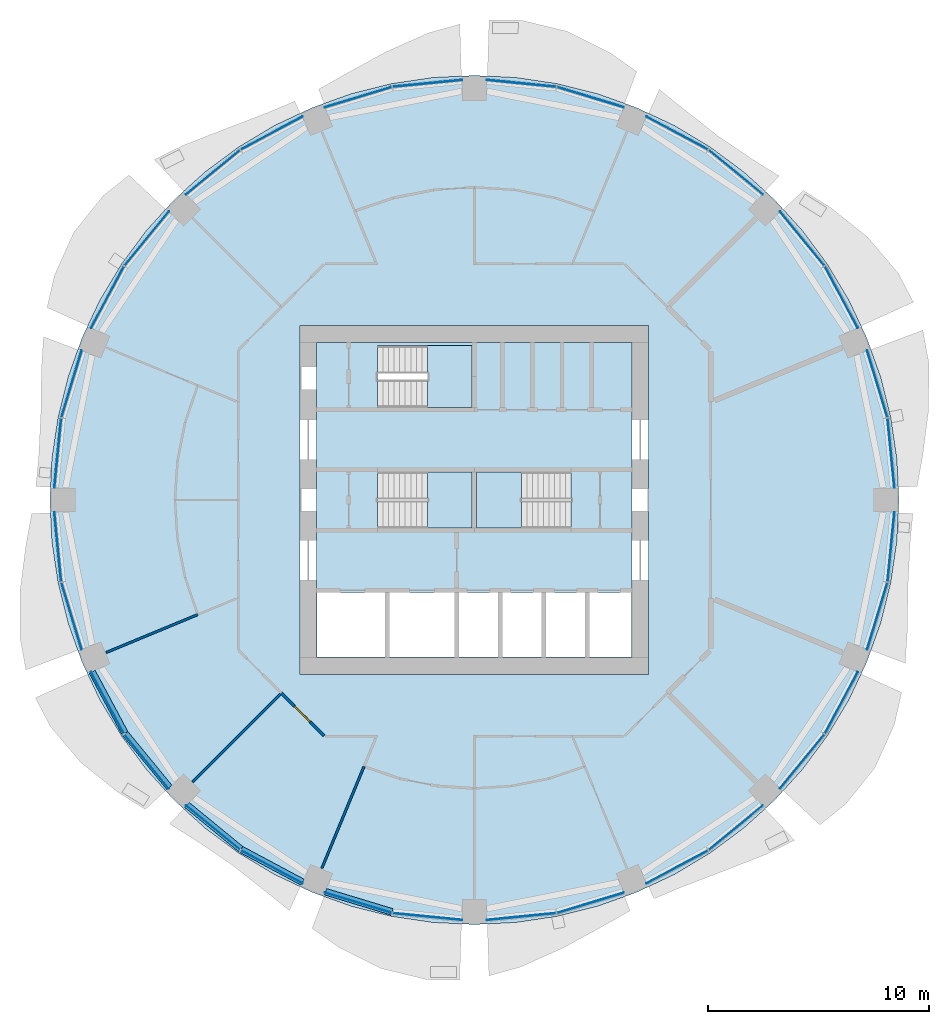
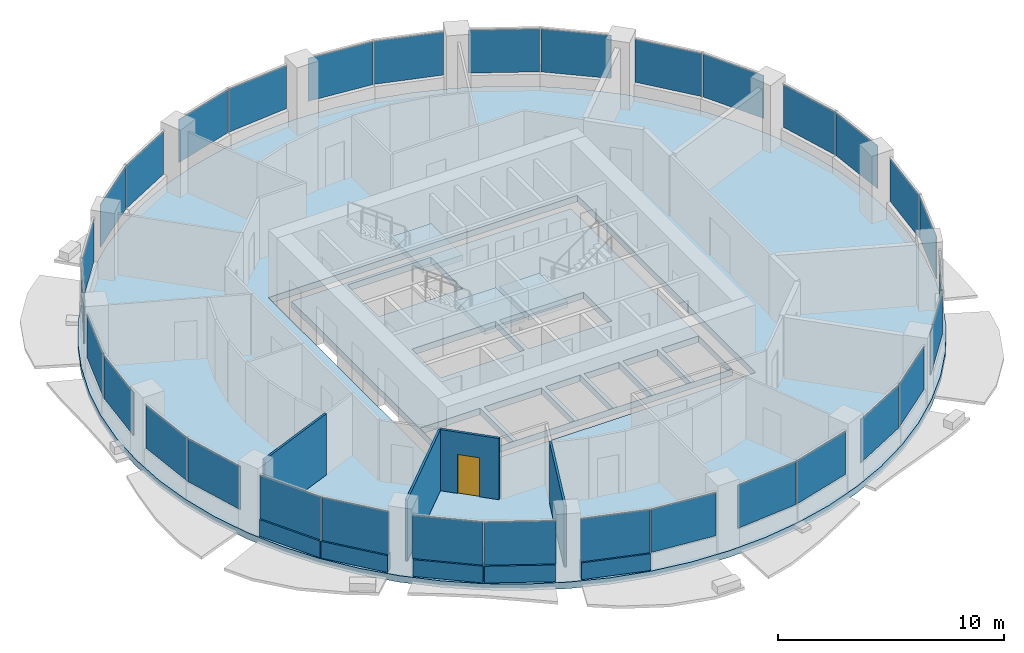
# One storey, part 6 of 14: 32 plates, 9 walls, 5 slabs, 1 door, 1 opening, 19 elements without a shape of their own.
"""IFC4 building model written with IfcOpenShell, lengths in metres."""

from ifc_helpers import new_model, si_unit, direction, frame, frame_2d, origin, origin_2d, place, context, subcontext, project, spatial, polyline, rectangle, outline, extrude, material, layer, layer_set, type_object, element, fill, aggregate, save


model = new_model("IFC4")

# Units and contexts
model_context = context("Model", 3, precision=1e-05, world=origin(), true_north=direction((0.0, 1.0)))
body_context = subcontext(model_context, "Body", "Model", "MODEL_VIEW")
ifc_project = project(units=[si_unit("LENGTHUNIT", "METRE"), si_unit("AREAUNIT", "SQUARE_METRE"), si_unit("VOLUMEUNIT", "CUBIC_METRE"), si_unit("PLANEANGLEUNIT", "RADIAN"), si_unit("MASSUNIT", "GRAM", prefix="KILO")], contexts=[model_context])

# Site, building, storey
site_placement = place(None, origin())
site = spatial("IfcSite", under=ifc_project, at=site_placement, CompositionType="ELEMENT")
building_placement = place(site_placement, origin())
building = spatial("IfcBuilding", under=site, at=building_placement, Name="Polderwave Tower", CompositionType="ELEMENT")
storey_placement = place(building_placement, frame((0.0, 0.0, 105.60009765625)))
storey = spatial("IfcBuildingStorey", under=building, at=storey_placement, Name="L27", CompositionType="ELEMENT", Elevation=105.60009765625)

# Slab
ifc_material_1 = material(Name="Concrete C40/50", Category="concrete")
ifc_layer_1 = layer(ifc_material_1, 0.35009765625)
ifc_layer_set_1 = layer_set([ifc_layer_1], Name="Core floor slab 350")
slab_type_1 = type_object("IfcSlabType", Name="Core floor slab 350", PredefinedType="FLOOR", material=ifc_layer_set_1)
slab_1_placement = place(storey_placement, frame((0.0, 0.0, -0.35009765625)))
element("IfcSlab", 1, at=slab_1_placement, inside=storey, type_object=slab_type_1, Name="L27 core floor", PredefinedType="FLOOR", context=body_context, shape_type="SweptSolid", body=[
    extrude(outline(polyline([(-7.1240234375, -7.1240234375), (7.1240234375, -7.1240234375), (7.1240234375, 7.1240234375), (-7.1240234375, 7.1240234375), (-7.1240234375, -7.1240234375)]), holes=[polyline([(-7.10400390625, -7.10400390625), (-4.037109375, -7.10400390625), (-4.037109375, -4.174072265625), (-7.10400390625, -4.174072265625), (-7.10400390625, -7.10400390625)]), polyline([(-3.8369140625, -7.10400390625), (-0.89990234375, -7.10400390625), (-0.89990234375, -4.174072265625), (-3.8369140625, -4.174072265625), (-3.8369140625, -7.10400390625)]), polyline([(-0.699951171875, -7.10400390625), (1.068603515625, -7.10400390625), (1.068603515625, -4.174072265625), (-0.699951171875, -4.174072265625), (-0.699951171875, -7.10400390625)]), polyline([(1.2685546875, -7.10400390625), (3.037109375, -7.10400390625), (3.037109375, -4.174072265625), (1.2685546875, -4.174072265625), (1.2685546875, -7.10400390625)]), polyline([(3.237060546875, -7.10400390625), (5.005615234375, -7.10400390625), (5.005615234375, -4.174072265625), (3.237060546875, -4.174072265625), (3.237060546875, -7.10400390625)]), polyline([(5.20556640625, -7.10400390625), (7.10400390625, -7.10400390625), (7.10400390625, -4.174072265625), (5.20556640625, -4.174072265625), (5.20556640625, -7.10400390625)]), polyline([(-4.37353515625, -1.2744140625), (-0.1005859375, -1.2744140625), (-0.1005859375, 1.2744140625), (-4.37353515625, 1.2744140625), (-4.37353515625, -1.2744140625)]), polyline([(0.1005859375, -1.2744140625), (4.37353515625, -1.2744140625), (4.37353515625, 1.2744140625), (0.1005859375, 1.2744140625), (0.1005859375, -1.2744140625)]), polyline([(-4.37353515625, 4.174560546875), (-0.1005859375, 4.174560546875), (-0.1005859375, 6.973388671875), (-4.37353515625, 6.973388671875), (-4.37353515625, 4.174560546875)])]), origin(), (0.0, 0.0, 1.0), 0.35009765625),
])

# Curtain wall, plates
ifc_material_2 = material(Name="Aluminium 6063-T6 and glass", Category="aluminium")
curtain_wall_type = type_object("IfcCurtainWallType", Name="Growing floor ribbon glazing wall", PredefinedType="NOTDEFINED", material=ifc_material_2)
curtain_wall_1_placement = place(storey_placement, origin())
curtain_wall_1 = element("IfcCurtainWall", 2, at=curtain_wall_1_placement, inside=storey, type_object=curtain_wall_type, Name="CW2 L27 00", PredefinedType="NOTDEFINED")
ifc_material_3 = material(Name="Glass, low-e laminated double glazing", Category="glass")
ifc_layer_2 = layer(ifc_material_3, 0.028076171875)
ifc_layer_set_2 = layer_set([ifc_layer_2], Name="Growing floor ribbon glazing glass panel 28 mm")
plate_type = type_object("IfcPlateType", Name="Growing floor ribbon glazing glass panel 28 mm", PredefinedType="CURTAIN_PANEL", material=ifc_layer_set_2)
plate_1_placement = place(storey_placement, frame((18.821533203125, 2.11669921875, 0.89990234375), z_axis=(0.0, 0.0, 1.0), x_axis=(-0.098164777877, 0.995170174585, 0.0)))
plate_1 = element("IfcPlate", 3, at=plate_1_placement, type_object=plate_type, Name="CW2 panel 1", PredefinedType="CURTAIN_PANEL", context=body_context, shape_type="SweptSolid", body=[
    extrude(rectangle(XDim=3.1484375, YDim=0.028076171875, at=origin_2d()), origin(), (0.0, 0.0, 1.0), 2.320068359375),
])
plate_2_placement = place(storey_placement, frame((18.198486328125, 5.247802734375, 0.89990234375), z_axis=(0.0, 0.0, 1.0), x_axis=(-0.290147719853, 0.956981870604, 0.0)))
plate_2 = element("IfcPlate", 4, at=plate_2_placement, type_object=plate_type, Name="CW2 panel 2", PredefinedType="CURTAIN_PANEL", context=body_context, shape_type="SweptSolid", body=[
    extrude(rectangle(XDim=3.147705078125, YDim=0.028076171875, at=origin_2d()), origin(), (0.0, 0.0, 1.0), 2.320068359375),
])
aggregate(curtain_wall_1, [plate_1, plate_2])

curtain_wall_2_placement = place(storey_placement, origin())
curtain_wall_2 = element("IfcCurtainWall", 5, at=curtain_wall_2_placement, inside=storey, type_object=curtain_wall_type, Name="CW2 L27 01", PredefinedType="NOTDEFINED")
plate_3_placement = place(storey_placement, frame((16.5791015625, 9.158203125, 0.89990234375), z_axis=(0.0, 0.0, 1.0), x_axis=(-0.471339783853, 0.881951703982, 0.0)))
plate_3 = element("IfcPlate", 6, at=plate_3_placement, type_object=plate_type, Name="CW2 panel 1", PredefinedType="CURTAIN_PANEL", context=body_context, shape_type="SweptSolid", body=[
    extrude(rectangle(XDim=3.148193359375, YDim=0.028076171875, at=origin_2d()), origin(), (0.0, 0.0, 1.0), 2.320068359375),
])
plate_4_placement = place(storey_placement, frame((14.805419921875, 11.8125, 0.89990234375), z_axis=(0.0, 0.0, 1.0), x_axis=(-0.634471532063, 0.772946230343, 0.0)))
plate_4 = element("IfcPlate", 7, at=plate_4_placement, type_object=plate_type, Name="CW2 panel 2", PredefinedType="CURTAIN_PANEL", context=body_context, shape_type="SweptSolid", body=[
    extrude(rectangle(XDim=3.1474609375, YDim=0.028076171875, at=origin_2d()), origin(), (0.0, 0.0, 1.0), 2.320068359375),
])
aggregate(curtain_wall_2, [plate_3, plate_4])

curtain_wall_3_placement = place(storey_placement, origin())
curtain_wall_3 = element("IfcCurtainWall", 8, at=curtain_wall_3_placement, inside=storey, type_object=curtain_wall_type, Name="CW2 L27 02", PredefinedType="NOTDEFINED")
plate_5_placement = place(storey_placement, frame((11.8125, 14.805419921875, 0.89990234375), z_axis=(0.0, 0.0, 1.0), x_axis=(-0.772946230343, 0.634471532063, 0.0)))
plate_5 = element("IfcPlate", 9, at=plate_5_placement, type_object=plate_type, Name="CW2 panel 1", PredefinedType="CURTAIN_PANEL", context=body_context, shape_type="SweptSolid", body=[
    extrude(rectangle(XDim=3.1474609375, YDim=0.028076171875, at=origin_2d()), origin(), (0.0, 0.0, 1.0), 2.320068359375),
])
plate_6_placement = place(storey_placement, frame((9.158203125, 16.5791015625, 0.89990234375), z_axis=(0.0, 0.0, 1.0), x_axis=(-0.881951703982, 0.471339783853, 0.0)))
plate_6 = element("IfcPlate", 10, at=plate_6_placement, type_object=plate_type, Name="CW2 panel 2", PredefinedType="CURTAIN_PANEL", context=body_context, shape_type="SweptSolid", body=[
    extrude(rectangle(XDim=3.148193359375, YDim=0.028076171875, at=origin_2d()), origin(), (0.0, 0.0, 1.0), 2.320068359375),
])
aggregate(curtain_wall_3, [plate_5, plate_6])

curtain_wall_4_placement = place(storey_placement, origin())
curtain_wall_4 = element("IfcCurtainWall", 11, at=curtain_wall_4_placement, inside=storey, type_object=curtain_wall_type, Name="CW2 L27 03", PredefinedType="NOTDEFINED")
plate_7_placement = place(storey_placement, frame((5.247802734375, 18.198486328125, 0.89990234375), z_axis=(0.0, 0.0, 1.0), x_axis=(-0.956981870604, 0.290147719853, 0.0)))
plate_7 = element("IfcPlate", 12, at=plate_7_placement, type_object=plate_type, Name="CW2 panel 1", PredefinedType="CURTAIN_PANEL", context=body_context, shape_type="SweptSolid", body=[
    extrude(rectangle(XDim=3.147705078125, YDim=0.028076171875, at=origin_2d()), origin(), (0.0, 0.0, 1.0), 2.320068359375),
])
plate_8_placement = place(storey_placement, frame((2.11669921875, 18.821533203125, 0.89990234375), z_axis=(0.0, 0.0, 1.0), x_axis=(-0.995170174585, 0.098164777877, 0.0)))
plate_8 = element("IfcPlate", 13, at=plate_8_placement, type_object=plate_type, Name="CW2 panel 2", PredefinedType="CURTAIN_PANEL", context=body_context, shape_type="SweptSolid", body=[
    extrude(rectangle(XDim=3.1484375, YDim=0.028076171875, at=origin_2d()), origin(), (0.0, 0.0, 1.0), 2.320068359375),
])
aggregate(curtain_wall_4, [plate_7, plate_8])

curtain_wall_5_placement = place(storey_placement, origin())
curtain_wall_5 = element("IfcCurtainWall", 14, at=curtain_wall_5_placement, inside=storey, type_object=curtain_wall_type, Name="CW2 L27 04", PredefinedType="NOTDEFINED")
plate_9_placement = place(storey_placement, frame((-2.11669921875, 18.821533203125, 0.89990234375), z_axis=(0.0, 0.0, 1.0), x_axis=(-0.995170174585, -0.098164777877, 0.0)))
plate_9 = element("IfcPlate", 15, at=plate_9_placement, type_object=plate_type, Name="CW2 panel 1", PredefinedType="CURTAIN_PANEL", context=body_context, shape_type="SweptSolid", body=[
    extrude(rectangle(XDim=3.1484375, YDim=0.028076171875, at=origin_2d()), origin(), (0.0, 0.0, 1.0), 2.320068359375),
])
plate_10_placement = place(storey_placement, frame((-5.247802734375, 18.198486328125, 0.89990234375), z_axis=(0.0, 0.0, 1.0), x_axis=(-0.956981870604, -0.290147719853, 0.0)))
plate_10 = element("IfcPlate", 16, at=plate_10_placement, type_object=plate_type, Name="CW2 panel 2", PredefinedType="CURTAIN_PANEL", context=body_context, shape_type="SweptSolid", body=[
    extrude(rectangle(XDim=3.147705078125, YDim=0.028076171875, at=origin_2d()), origin(), (0.0, 0.0, 1.0), 2.320068359375),
])
aggregate(curtain_wall_5, [plate_9, plate_10])

curtain_wall_6_placement = place(storey_placement, origin())
curtain_wall_6 = element("IfcCurtainWall", 17, at=curtain_wall_6_placement, inside=storey, type_object=curtain_wall_type, Name="CW2 L27 05", PredefinedType="NOTDEFINED")
plate_11_placement = place(storey_placement, frame((-9.158203125, 16.5791015625, 0.89990234375), z_axis=(0.0, 0.0, 1.0), x_axis=(-0.881951703982, -0.471339783853, 0.0)))
plate_11 = element("IfcPlate", 18, at=plate_11_placement, type_object=plate_type, Name="CW2 panel 1", PredefinedType="CURTAIN_PANEL", context=body_context, shape_type="SweptSolid", body=[
    extrude(rectangle(XDim=3.148193359375, YDim=0.028076171875, at=origin_2d()), origin(), (0.0, 0.0, 1.0), 2.320068359375),
])
plate_12_placement = place(storey_placement, frame((-11.8125, 14.805419921875, 0.89990234375), z_axis=(0.0, 0.0, 1.0), x_axis=(-0.772946230343, -0.634471532063, 0.0)))
plate_12 = element("IfcPlate", 19, at=plate_12_placement, type_object=plate_type, Name="CW2 panel 2", PredefinedType="CURTAIN_PANEL", context=body_context, shape_type="SweptSolid", body=[
    extrude(rectangle(XDim=3.1474609375, YDim=0.028076171875, at=origin_2d()), origin(), (0.0, 0.0, 1.0), 2.320068359375),
])
aggregate(curtain_wall_6, [plate_11, plate_12])

curtain_wall_7_placement = place(storey_placement, origin())
curtain_wall_7 = element("IfcCurtainWall", 20, at=curtain_wall_7_placement, inside=storey, type_object=curtain_wall_type, Name="CW2 L27 06", PredefinedType="NOTDEFINED")
plate_13_placement = place(storey_placement, frame((-14.805419921875, 11.8125, 0.89990234375), z_axis=(0.0, 0.0, 1.0), x_axis=(-0.634471532063, -0.772946230343, 0.0)))
plate_13 = element("IfcPlate", 21, at=plate_13_placement, type_object=plate_type, Name="CW2 panel 1", PredefinedType="CURTAIN_PANEL", context=body_context, shape_type="SweptSolid", body=[
    extrude(rectangle(XDim=3.1474609375, YDim=0.028076171875, at=origin_2d()), origin(), (0.0, 0.0, 1.0), 2.320068359375),
])
plate_14_placement = place(storey_placement, frame((-16.5791015625, 9.158203125, 0.89990234375), z_axis=(0.0, 0.0, 1.0), x_axis=(-0.471339783853, -0.881951703982, 0.0)))
plate_14 = element("IfcPlate", 22, at=plate_14_placement, type_object=plate_type, Name="CW2 panel 2", PredefinedType="CURTAIN_PANEL", context=body_context, shape_type="SweptSolid", body=[
    extrude(rectangle(XDim=3.148193359375, YDim=0.028076171875, at=origin_2d()), origin(), (0.0, 0.0, 1.0), 2.320068359375),
])
aggregate(curtain_wall_7, [plate_13, plate_14])

curtain_wall_8_placement = place(storey_placement, origin())
curtain_wall_8 = element("IfcCurtainWall", 23, at=curtain_wall_8_placement, inside=storey, type_object=curtain_wall_type, Name="CW2 L27 07", PredefinedType="NOTDEFINED")
plate_15_placement = place(storey_placement, frame((-18.198486328125, 5.247802734375, 0.89990234375), z_axis=(0.0, 0.0, 1.0), x_axis=(-0.290147719853, -0.956981870604, 0.0)))
plate_15 = element("IfcPlate", 24, at=plate_15_placement, type_object=plate_type, Name="CW2 panel 1", PredefinedType="CURTAIN_PANEL", context=body_context, shape_type="SweptSolid", body=[
    extrude(rectangle(XDim=3.147705078125, YDim=0.028076171875, at=origin_2d()), origin(), (0.0, 0.0, 1.0), 2.320068359375),
])
plate_16_placement = place(storey_placement, frame((-18.821533203125, 2.11669921875, 0.89990234375), z_axis=(0.0, 0.0, 1.0), x_axis=(-0.098164777877, -0.995170174585, 0.0)))
plate_16 = element("IfcPlate", 25, at=plate_16_placement, type_object=plate_type, Name="CW2 panel 2", PredefinedType="CURTAIN_PANEL", context=body_context, shape_type="SweptSolid", body=[
    extrude(rectangle(XDim=3.1484375, YDim=0.028076171875, at=origin_2d()), origin(), (0.0, 0.0, 1.0), 2.320068359375),
])
aggregate(curtain_wall_8, [plate_15, plate_16])

curtain_wall_9_placement = place(storey_placement, origin())
curtain_wall_9 = element("IfcCurtainWall", 26, at=curtain_wall_9_placement, inside=storey, type_object=curtain_wall_type, Name="CW2 L27 08", PredefinedType="NOTDEFINED")
plate_17_placement = place(storey_placement, frame((-18.821533203125, -2.11669921875, 0.89990234375), z_axis=(0.0, 0.0, 1.0), x_axis=(0.098164777877, -0.995170174585, 0.0)))
plate_17 = element("IfcPlate", 27, at=plate_17_placement, type_object=plate_type, Name="CW2 panel 1", PredefinedType="CURTAIN_PANEL", context=body_context, shape_type="SweptSolid", body=[
    extrude(rectangle(XDim=3.1484375, YDim=0.028076171875, at=origin_2d()), origin(), (0.0, 0.0, 1.0), 2.320068359375),
])
plate_18_placement = place(storey_placement, frame((-18.198486328125, -5.247802734375, 0.89990234375), z_axis=(0.0, 0.0, 1.0), x_axis=(0.290147719853, -0.956981870604, 0.0)))
plate_18 = element("IfcPlate", 28, at=plate_18_placement, type_object=plate_type, Name="CW2 panel 2", PredefinedType="CURTAIN_PANEL", context=body_context, shape_type="SweptSolid", body=[
    extrude(rectangle(XDim=3.147705078125, YDim=0.028076171875, at=origin_2d()), origin(), (0.0, 0.0, 1.0), 2.320068359375),
])
aggregate(curtain_wall_9, [plate_17, plate_18])

curtain_wall_10_placement = place(storey_placement, origin())
curtain_wall_10 = element("IfcCurtainWall", 29, at=curtain_wall_10_placement, inside=storey, type_object=curtain_wall_type, Name="CW2 L27 09", PredefinedType="NOTDEFINED")
plate_19_placement = place(storey_placement, frame((-16.5791015625, -9.158203125, 0.89990234375), z_axis=(0.0, 0.0, 1.0), x_axis=(0.471339783853, -0.881951703982, 0.0)))
plate_19 = element("IfcPlate", 30, at=plate_19_placement, type_object=plate_type, Name="CW2 panel 1", PredefinedType="CURTAIN_PANEL", context=body_context, shape_type="SweptSolid", body=[
    extrude(rectangle(XDim=3.148193359375, YDim=0.028076171875, at=origin_2d()), origin(), (0.0, 0.0, 1.0), 2.320068359375),
])
plate_20_placement = place(storey_placement, frame((-14.805419921875, -11.8125, 0.89990234375), z_axis=(0.0, 0.0, 1.0), x_axis=(0.634471532063, -0.772946230343, 0.0)))
plate_20 = element("IfcPlate", 31, at=plate_20_placement, type_object=plate_type, Name="CW2 panel 2", PredefinedType="CURTAIN_PANEL", context=body_context, shape_type="SweptSolid", body=[
    extrude(rectangle(XDim=3.1474609375, YDim=0.028076171875, at=origin_2d()), origin(), (0.0, 0.0, 1.0), 2.320068359375),
])
aggregate(curtain_wall_10, [plate_19, plate_20])

curtain_wall_11_placement = place(storey_placement, origin())
curtain_wall_11 = element("IfcCurtainWall", 32, at=curtain_wall_11_placement, inside=storey, type_object=curtain_wall_type, Name="CW2 L27 10", PredefinedType="NOTDEFINED")
plate_21_placement = place(storey_placement, frame((-11.8125, -14.805419921875, 0.89990234375), z_axis=(0.0, 0.0, 1.0), x_axis=(0.772946230343, -0.634471532063, 0.0)))
plate_21 = element("IfcPlate", 33, at=plate_21_placement, type_object=plate_type, Name="CW2 panel 1", PredefinedType="CURTAIN_PANEL", context=body_context, shape_type="SweptSolid", body=[
    extrude(rectangle(XDim=3.1474609375, YDim=0.028076171875, at=origin_2d()), origin(), (0.0, 0.0, 1.0), 2.320068359375),
])
plate_22_placement = place(storey_placement, frame((-9.158203125, -16.5791015625, 0.89990234375), z_axis=(0.0, 0.0, 1.0), x_axis=(0.881951703982, -0.471339783853, 0.0)))
plate_22 = element("IfcPlate", 34, at=plate_22_placement, type_object=plate_type, Name="CW2 panel 2", PredefinedType="CURTAIN_PANEL", context=body_context, shape_type="SweptSolid", body=[
    extrude(rectangle(XDim=3.148193359375, YDim=0.028076171875, at=origin_2d()), origin(), (0.0, 0.0, 1.0), 2.320068359375),
])
aggregate(curtain_wall_11, [plate_21, plate_22])

curtain_wall_12_placement = place(storey_placement, origin())
curtain_wall_12 = element("IfcCurtainWall", 35, at=curtain_wall_12_placement, inside=storey, type_object=curtain_wall_type, Name="CW2 L27 11", PredefinedType="NOTDEFINED")
plate_23_placement = place(storey_placement, frame((-5.247802734375, -18.198486328125, 0.89990234375), z_axis=(0.0, 0.0, 1.0), x_axis=(0.956981870604, -0.290147719853, 0.0)))
plate_23 = element("IfcPlate", 36, at=plate_23_placement, type_object=plate_type, Name="CW2 panel 1", PredefinedType="CURTAIN_PANEL", context=body_context, shape_type="SweptSolid", body=[
    extrude(rectangle(XDim=3.147705078125, YDim=0.028076171875, at=origin_2d()), origin(), (0.0, 0.0, 1.0), 2.320068359375),
])
plate_24_placement = place(storey_placement, frame((-2.11669921875, -18.821533203125, 0.89990234375), z_axis=(0.0, 0.0, 1.0), x_axis=(0.995170174585, -0.098164777877, 0.0)))
plate_24 = element("IfcPlate", 37, at=plate_24_placement, type_object=plate_type, Name="CW2 panel 2", PredefinedType="CURTAIN_PANEL", context=body_context, shape_type="SweptSolid", body=[
    extrude(rectangle(XDim=3.1484375, YDim=0.028076171875, at=origin_2d()), origin(), (0.0, 0.0, 1.0), 2.320068359375),
])
aggregate(curtain_wall_12, [plate_23, plate_24])

curtain_wall_13_placement = place(storey_placement, origin())
curtain_wall_13 = element("IfcCurtainWall", 38, at=curtain_wall_13_placement, inside=storey, type_object=curtain_wall_type, Name="CW2 L27 12", PredefinedType="NOTDEFINED")
plate_25_placement = place(storey_placement, frame((2.11669921875, -18.821533203125, 0.89990234375), z_axis=(0.0, 0.0, 1.0), x_axis=(0.995170174585, 0.098164777877, 0.0)))
plate_25 = element("IfcPlate", 39, at=plate_25_placement, type_object=plate_type, Name="CW2 panel 1", PredefinedType="CURTAIN_PANEL", context=body_context, shape_type="SweptSolid", body=[
    extrude(rectangle(XDim=3.1484375, YDim=0.028076171875, at=origin_2d()), origin(), (0.0, 0.0, 1.0), 2.320068359375),
])
plate_26_placement = place(storey_placement, frame((5.247802734375, -18.198486328125, 0.89990234375), z_axis=(0.0, 0.0, 1.0), x_axis=(0.956981870604, 0.290147719853, 0.0)))
plate_26 = element("IfcPlate", 40, at=plate_26_placement, type_object=plate_type, Name="CW2 panel 2", PredefinedType="CURTAIN_PANEL", context=body_context, shape_type="SweptSolid", body=[
    extrude(rectangle(XDim=3.147705078125, YDim=0.028076171875, at=origin_2d()), origin(), (0.0, 0.0, 1.0), 2.320068359375),
])
aggregate(curtain_wall_13, [plate_25, plate_26])

curtain_wall_14_placement = place(storey_placement, origin())
curtain_wall_14 = element("IfcCurtainWall", 41, at=curtain_wall_14_placement, inside=storey, type_object=curtain_wall_type, Name="CW2 L27 13", PredefinedType="NOTDEFINED")
plate_27_placement = place(storey_placement, frame((9.158203125, -16.5791015625, 0.89990234375), z_axis=(0.0, 0.0, 1.0), x_axis=(0.881951703982, 0.471339783853, 0.0)))
plate_27 = element("IfcPlate", 42, at=plate_27_placement, type_object=plate_type, Name="CW2 panel 1", PredefinedType="CURTAIN_PANEL", context=body_context, shape_type="SweptSolid", body=[
    extrude(rectangle(XDim=3.148193359375, YDim=0.028076171875, at=origin_2d()), origin(), (0.0, 0.0, 1.0), 2.320068359375),
])
plate_28_placement = place(storey_placement, frame((11.8125, -14.805419921875, 0.89990234375), z_axis=(0.0, 0.0, 1.0), x_axis=(0.772946230343, 0.634471532063, 0.0)))
plate_28 = element("IfcPlate", 43, at=plate_28_placement, type_object=plate_type, Name="CW2 panel 2", PredefinedType="CURTAIN_PANEL", context=body_context, shape_type="SweptSolid", body=[
    extrude(rectangle(XDim=3.1474609375, YDim=0.028076171875, at=origin_2d()), origin(), (0.0, 0.0, 1.0), 2.320068359375),
])
aggregate(curtain_wall_14, [plate_27, plate_28])

curtain_wall_15_placement = place(storey_placement, origin())
curtain_wall_15 = element("IfcCurtainWall", 44, at=curtain_wall_15_placement, inside=storey, type_object=curtain_wall_type, Name="CW2 L27 14", PredefinedType="NOTDEFINED")
plate_29_placement = place(storey_placement, frame((14.805419921875, -11.8125, 0.89990234375), z_axis=(0.0, 0.0, 1.0), x_axis=(0.634471532063, 0.772946230343, 0.0)))
plate_29 = element("IfcPlate", 45, at=plate_29_placement, type_object=plate_type, Name="CW2 panel 1", PredefinedType="CURTAIN_PANEL", context=body_context, shape_type="SweptSolid", body=[
    extrude(rectangle(XDim=3.1474609375, YDim=0.028076171875, at=origin_2d()), origin(), (0.0, 0.0, 1.0), 2.320068359375),
])
plate_30_placement = place(storey_placement, frame((16.5791015625, -9.158203125, 0.89990234375), z_axis=(0.0, 0.0, 1.0), x_axis=(0.471339783853, 0.881951703982, 0.0)))
plate_30 = element("IfcPlate", 46, at=plate_30_placement, type_object=plate_type, Name="CW2 panel 2", PredefinedType="CURTAIN_PANEL", context=body_context, shape_type="SweptSolid", body=[
    extrude(rectangle(XDim=3.148193359375, YDim=0.028076171875, at=origin_2d()), origin(), (0.0, 0.0, 1.0), 2.320068359375),
])
aggregate(curtain_wall_15, [plate_29, plate_30])

curtain_wall_16_placement = place(storey_placement, origin())
curtain_wall_16 = element("IfcCurtainWall", 47, at=curtain_wall_16_placement, inside=storey, type_object=curtain_wall_type, Name="CW2 L27 15", PredefinedType="NOTDEFINED")
plate_31_placement = place(storey_placement, frame((18.198486328125, -5.247802734375, 0.89990234375), z_axis=(0.0, 0.0, 1.0), x_axis=(0.290147719853, 0.956981870604, 0.0)))
plate_31 = element("IfcPlate", 48, at=plate_31_placement, type_object=plate_type, Name="CW2 panel 1", PredefinedType="CURTAIN_PANEL", context=body_context, shape_type="SweptSolid", body=[
    extrude(rectangle(XDim=3.147705078125, YDim=0.028076171875, at=origin_2d()), origin(), (0.0, 0.0, 1.0), 2.320068359375),
])
plate_32_placement = place(storey_placement, frame((18.821533203125, -2.11669921875, 0.89990234375), z_axis=(0.0, 0.0, 1.0), x_axis=(0.098164777877, 0.995170174585, 0.0)))
plate_32 = element("IfcPlate", 49, at=plate_32_placement, type_object=plate_type, Name="CW2 panel 2", PredefinedType="CURTAIN_PANEL", context=body_context, shape_type="SweptSolid", body=[
    extrude(rectangle(XDim=3.1484375, YDim=0.028076171875, at=origin_2d()), origin(), (0.0, 0.0, 1.0), 2.320068359375),
])
aggregate(curtain_wall_16, [plate_31, plate_32])

# Slab
ifc_layer_3 = layer(ifc_material_1, 0.35009765625)
ifc_layer_set_3 = layer_set([ifc_layer_3], Name="PT FLOOR SLAB 350 C40/50")
slab_type_2 = type_object("IfcSlabType", Name="PT FLOOR SLAB 350 C40/50", PredefinedType="FLOOR", material=ifc_layer_set_3)
slab_2_placement = place(storey_placement, frame((0.0, 0.0, -0.35009765625)))
element("IfcSlab", 50, at=slab_2_placement, inside=storey, type_object=slab_type_2, Name="ST-SLAB-L27", PredefinedType="FLOOR", context=body_context, shape_type="SweptSolid", body=[
    extrude(outline(polyline([(19.179931640625, 0.0), (19.087646484375, 1.8798828125), (18.8115234375, 3.74169921875), (18.35400390625, 5.567626953125), (17.719970703125, 7.33984375), (16.915283203125, 9.04150390625), (15.947509765625, 10.65576171875), (14.826416015625, 12.167724609375), (13.562255859375, 13.562255859375), (12.167724609375, 14.826416015625), (10.65576171875, 15.947509765625), (9.04150390625, 16.915283203125), (7.33984375, 17.719970703125), (5.567626953125, 18.35400390625), (3.74169921875, 18.8115234375), (1.8798828125, 19.087646484375), (0.0, 19.179931640625), (-1.8798828125, 19.087646484375), (-3.74169921875, 18.8115234375), (-5.567626953125, 18.35400390625), (-7.33984375, 17.719970703125), (-9.04150390625, 16.915283203125), (-10.65576171875, 15.947509765625), (-12.167724609375, 14.826416015625), (-13.562255859375, 13.562255859375), (-14.826416015625, 12.167724609375), (-15.947509765625, 10.65576171875), (-16.915283203125, 9.04150390625), (-17.719970703125, 7.33984375), (-18.35400390625, 5.567626953125), (-18.8115234375, 3.74169921875), (-19.087646484375, 1.8798828125), (-19.179931640625, 0.0), (-19.087646484375, -1.8798828125), (-18.8115234375, -3.74169921875), (-18.35400390625, -5.567626953125), (-17.719970703125, -7.33984375), (-16.915283203125, -9.04150390625), (-15.947509765625, -10.65576171875), (-14.826416015625, -12.167724609375), (-13.562255859375, -13.562255859375), (-12.167724609375, -14.826416015625), (-10.65576171875, -15.947509765625), (-9.04150390625, -16.915283203125), (-7.33984375, -17.719970703125), (-5.567626953125, -18.35400390625), (-3.74169921875, -18.8115234375), (-1.8798828125, -19.087646484375), (0.0, -19.179931640625), (1.8798828125, -19.087646484375), (3.74169921875, -18.8115234375), (5.567626953125, -18.35400390625), (7.33984375, -17.719970703125), (9.04150390625, -16.915283203125), (10.65576171875, -15.947509765625), (12.167724609375, -14.826416015625), (13.562255859375, -13.562255859375), (14.826416015625, -12.167724609375), (15.947509765625, -10.65576171875), (16.915283203125, -9.04150390625), (17.719970703125, -7.33984375), (18.35400390625, -5.567626953125), (18.8115234375, -3.74169921875), (19.087646484375, -1.8798828125), (19.179931640625, 0.0)]), holes=[polyline([(-7.8740234375, -7.8740234375), (7.8740234375, -7.8740234375), (7.8740234375, 7.8740234375), (-7.8740234375, 7.8740234375), (-7.8740234375, -7.8740234375)])]), origin(), (0.0, 0.0, 1.0), 0.35009765625),
])

# Stair, slab
stair_type = type_object("IfcStairType", Name="Exit stair 1200 x 20 risers", PredefinedType="HALF_TURN_STAIR", material=ifc_material_1)
stair_1_placement = place(storey_placement, origin())
stair_1 = element("IfcStair", 51, at=stair_1_placement, inside=storey, type_object=stair_type, Name="L27 Exit stair A", PredefinedType="HALF_TURN_STAIR")
ifc_layer_4 = layer(ifc_material_1, 0.300048828125)
ifc_layer_set_4 = layer_set([ifc_layer_4], Name="Stair landing 300")
slab_type_3 = type_object("IfcSlabType", Name="Stair landing 300", PredefinedType="LANDING", material=ifc_layer_set_4)
slab_3_placement = place(storey_placement, frame((0.0, 0.0, 1.52490234375)))
slab_3 = element("IfcSlab", 52, at=slab_3_placement, type_object=slab_type_3, Name="ST-A landing 1", PredefinedType="LANDING", context=body_context, shape_type="SweptSolid", body=[
    extrude(outline(polyline([(-2.1240234375, -1.27490234375), (-0.10009765625, -1.27490234375), (-0.10009765625, 1.27490234375), (-2.1240234375, 1.27490234375), (-2.1240234375, -1.27490234375)])), origin(), (0.0, 0.0, 1.0), 0.300048828125),
])
aggregate(stair_1, [slab_3])

stair_2_placement = place(storey_placement, origin())
stair_2 = element("IfcStair", 53, at=stair_2_placement, inside=storey, type_object=stair_type, Name="L27 Exit stair B", PredefinedType="HALF_TURN_STAIR")
slab_4_placement = place(storey_placement, frame((0.0, 0.0, 1.52490234375)))
slab_4 = element("IfcSlab", 54, at=slab_4_placement, type_object=slab_type_3, Name="ST-B landing 1", PredefinedType="LANDING", context=body_context, shape_type="SweptSolid", body=[
    extrude(outline(polyline([(2.1240234375, 1.27490234375), (0.10009765625, 1.27490234375), (0.10009765625, -1.27490234375), (2.1240234375, -1.27490234375), (2.1240234375, 1.27490234375)])), origin(), (0.0, 0.0, 1.0), 0.300048828125),
])
aggregate(stair_2, [slab_4])

stair_3_placement = place(storey_placement, origin())
stair_3 = element("IfcStair", 55, at=stair_3_placement, inside=storey, type_object=stair_type, Name="L27 Exit stair C", PredefinedType="HALF_TURN_STAIR")
slab_5_placement = place(storey_placement, frame((0.0, 0.0, 1.52490234375)))
slab_5 = element("IfcSlab", 56, at=slab_5_placement, type_object=slab_type_3, Name="ST-C landing 1", PredefinedType="LANDING", context=body_context, shape_type="SweptSolid", body=[
    extrude(outline(polyline([(-2.1240234375, 4.174072265625), (-0.10009765625, 4.174072265625), (-0.10009765625, 6.97412109375), (-2.1240234375, 6.97412109375), (-2.1240234375, 4.174072265625)])), origin(), (0.0, 0.0, 1.0), 0.300048828125),
])
aggregate(stair_3, [slab_5])

# Walls
ifc_material_4 = material(Name="Concrete C50/60 (board-marked)", Category="concrete")
ifc_layer_5 = layer(ifc_material_4, 0.300048828125)
ifc_layer_set_5 = layer_set([ifc_layer_5], Name="Concrete spandrel upstand C50/60")
wall_type_1 = type_object("IfcWallType", Name="Concrete spandrel upstand C50/60", PredefinedType="SOLIDWALL", material=ifc_layer_set_5)
wall_1_placement = place(storey_placement, frame((-17.267822265625, -7.76318359375, 0.0), z_axis=(0.0, 0.0, 1.0), x_axis=(0.471375185282, -0.88193278355, 0.0)))
element("IfcWall", 57, at=wall_1_placement, inside=storey, type_object=wall_type_1, Name="Spandrel L27 10a", PredefinedType="SOLIDWALL", context=body_context, shape_type="SweptSolid", body=[
    extrude(rectangle(XDim=3.13916015625, YDim=0.300048828125, at=frame_2d((1.569580078125, 0.0))), origin(), (0.0, 0.0, 1.0), 0.89990234375),
])
for number, where, z_axis, x_axis, name in (
    (58, (-15.771484375, -10.556640625, 0.0), (0.0, 0.0, 1.0), (0.634274895162, -0.773107597536, 0.0), "Spandrel L27 10b"),
    (59, (-12.9833984375, -13.780517578125, 0.0), (0.0, 0.0, 1.0), (0.773107597536, -0.634274895162, 0.0), "Spandrel L27 11a"),
):
    element("IfcWall", number, at=place(storey_placement, frame(where, z_axis=z_axis, x_axis=x_axis)), inside=storey, type_object=wall_type_1, Name=name, PredefinedType="SOLIDWALL", context=body_context, shape_type="SweptSolid", body=[
        extrude(rectangle(XDim=3.138916015625, YDim=0.300048828125, at=frame_2d((1.5693359375, 0.0))), origin(), (0.0, 0.0, 1.0), 0.89990234375),
    ])
wall_2_placement = place(storey_placement, frame((-10.53173828125, -15.7880859375, 0.0), z_axis=(0.0, 0.0, 1.0), x_axis=(0.88193278355, -0.471375185282, 0.0)))
element("IfcWall", 60, at=wall_2_placement, inside=storey, type_object=wall_type_1, Name="Spandrel L27 11b", PredefinedType="SOLIDWALL", context=body_context, shape_type="SweptSolid", body=[
    extrude(rectangle(XDim=3.13916015625, YDim=0.300048828125, at=frame_2d((1.569580078125, 0.0))), origin(), (0.0, 0.0, 1.0), 0.89990234375),
])
wall_3_placement = place(storey_placement, frame((-6.7216796875, -17.699462890625, 0.0), z_axis=(0.0, 0.0, 1.0), x_axis=(0.956961595403, -0.290214584271, 0.0)))
element("IfcWall", 61, at=wall_3_placement, inside=storey, type_object=wall_type_1, Name="Spandrel L27 12a", PredefinedType="SOLIDWALL", context=body_context, shape_type="SweptSolid", body=[
    extrude(rectangle(XDim=3.139404296875, YDim=0.300048828125, at=frame_2d((1.56982421875, 0.0))), origin(), (0.0, 0.0, 1.0), 0.89990234375),
])

# Wall, opening, door
ifc_material_5 = material(Name="Fire-resisting board on steel studs", Category="steel")
ifc_layer_6 = layer(ifc_material_5, 0.125)
ifc_layer_set_6 = layer_set([ifc_layer_6], Name="Corridor wall 125 mm EI 60")
wall_type_2 = type_object("IfcWallType", Name="Corridor wall 125 mm EI 60", PredefinedType="PARTITIONING", material=ifc_layer_set_6)
wall_4_placement = place(storey_placement, frame((-6.789306640625, -10.65576171875, 0.0), z_axis=(0.0, 0.0, 1.0), x_axis=(-0.707062130741, 0.707151428813, 0.0)))
wall_4 = element("IfcWall", 62, at=wall_4_placement, inside=storey, type_object=wall_type_2, Name="IN-L27-W017", PredefinedType="PARTITIONING", context=body_context, shape_type="SweptSolid", body=[
    extrude(rectangle(XDim=2.73388671875, YDim=0.125, at=frame_2d((1.366943359375, 0.0))), origin(), (0.0, 0.0, 1.0), 3.2998046875),
])
opening_placement = place(wall_4_placement, frame((0.89990234375, 0.0, 0.0)))
opening = element("IfcOpeningElement", 63, at=opening_placement, cuts=wall_4, Name="Opening L27-D60", PredefinedType="OPENING", context=body_context, shape_type="SweptSolid", body=[
    extrude(rectangle(XDim=1.0, YDim=2.10009765625, at=frame_2d((0.5, 1.050048828125))), frame((0.0, 0.072509765625, 0.0), z_axis=(0.0, -1.0, 0.0), x_axis=(1.0, 0.0, 0.0)), (0.0, 0.0, 1.0), 0.14501953125),
])
ifc_material_6 = material(Name="Timber fire door leaf", Category="wood")
door_type = type_object("IfcDoorType", Name="Fire door FD30S 1000 x 2100", OperationType="NOTDEFINED", PredefinedType="DOOR", material=ifc_material_6)
door_placement = place(opening_placement, origin())
door = element("IfcDoor", 64, at=door_placement, inside=storey, type_object=door_type, Name="Door L27-D60", OperationType="SINGLE_SWING_RIGHT", OverallHeight=2.10009765625, OverallWidth=1.0, PredefinedType="DOOR", context=body_context, shape_type="SweptSolid", body=[
    extrude(rectangle(XDim=1.0, YDim=2.10009765625, at=frame_2d((0.5, 1.050048828125))), frame((0.0, 0.02490234375, 0.0), z_axis=(0.0, -1.0, 0.0), x_axis=(1.0, 0.0, 0.0)), (0.0, 0.0, 1.0), 0.050048828125),
])
fill(opening, door)

# Walls
ifc_material_7 = material(Name="Moisture-resistant board on steel studs, tiled", Category="steel")
ifc_layer_7 = layer(ifc_material_7, 0.10498046875)
ifc_layer_set_7 = layer_set([ifc_layer_7], Name="Partition 105 mm wet room board and tile")
wall_type_3 = type_object("IfcWallType", Name="Partition 105 mm wet room board and tile", PredefinedType="PARTITIONING", material=ifc_layer_set_7)
wall_5_placement = place(storey_placement, frame((-12.5, -5.177734375, 0.0), z_axis=(0.0, 0.0, 1.0), x_axis=(-0.923895686767, -0.382644430213, 0.0)))
element("IfcWall", 65, at=wall_5_placement, inside=storey, type_object=wall_type_3, Name="IN-L27-W046", PredefinedType="PARTITIONING", context=body_context, shape_type="SweptSolid", body=[
    extrude(rectangle(XDim=4.469970703125, YDim=0.10498046875, at=frame_2d((2.23486328125, 0.0))), origin(), (0.0, 0.0, 1.0), 3.2998046875),
])
wall_6_placement = place(storey_placement, frame((-12.727783203125, -12.727783203125, 0.0), z_axis=(0.0, 0.0, 1.0), x_axis=(0.707106781187, 0.707106781187, 0.0)))
element("IfcWall", 66, at=wall_6_placement, inside=storey, type_object=wall_type_3, Name="IN-L27-W048", PredefinedType="PARTITIONING", context=body_context, shape_type="SweptSolid", body=[
    extrude(rectangle(XDim=5.60205078125, YDim=0.10498046875, at=frame_2d((2.801025390625, 0.0))), origin(), (0.0, 0.0, 1.0), 3.2998046875),
])
wall_7_placement = place(storey_placement, frame((-4.986328125, -12.0380859375, 0.0), z_axis=(0.0, 0.0, 1.0), x_axis=(-0.38266126553, -0.923888714003, 0.0)))
element("IfcWall", 67, at=wall_7_placement, inside=storey, type_object=wall_type_3, Name="IN-L27-W050", PredefinedType="PARTITIONING", context=body_context, shape_type="SweptSolid", body=[
    extrude(rectangle(XDim=4.969970703125, YDim=0.10498046875, at=frame_2d((2.48486328125, 0.0))), origin(), (0.0, 0.0, 1.0), 3.2998046875),
])

save(model, "model.ifc")
